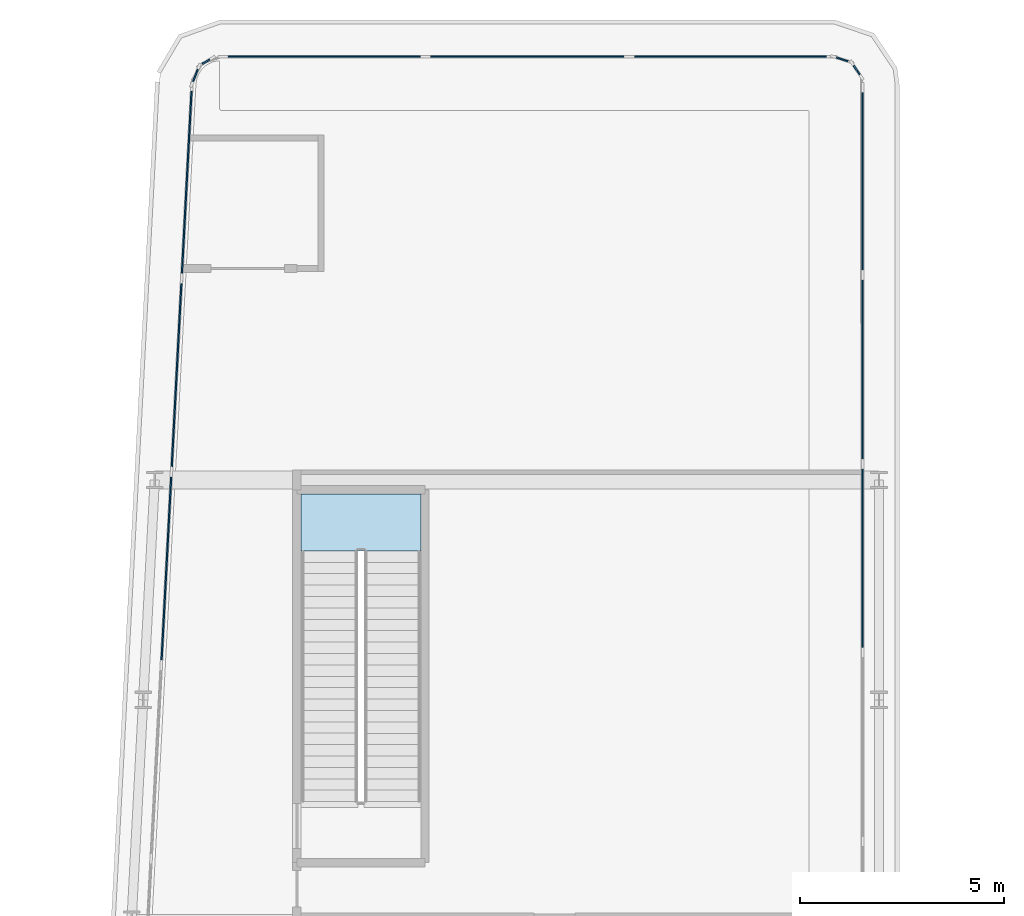
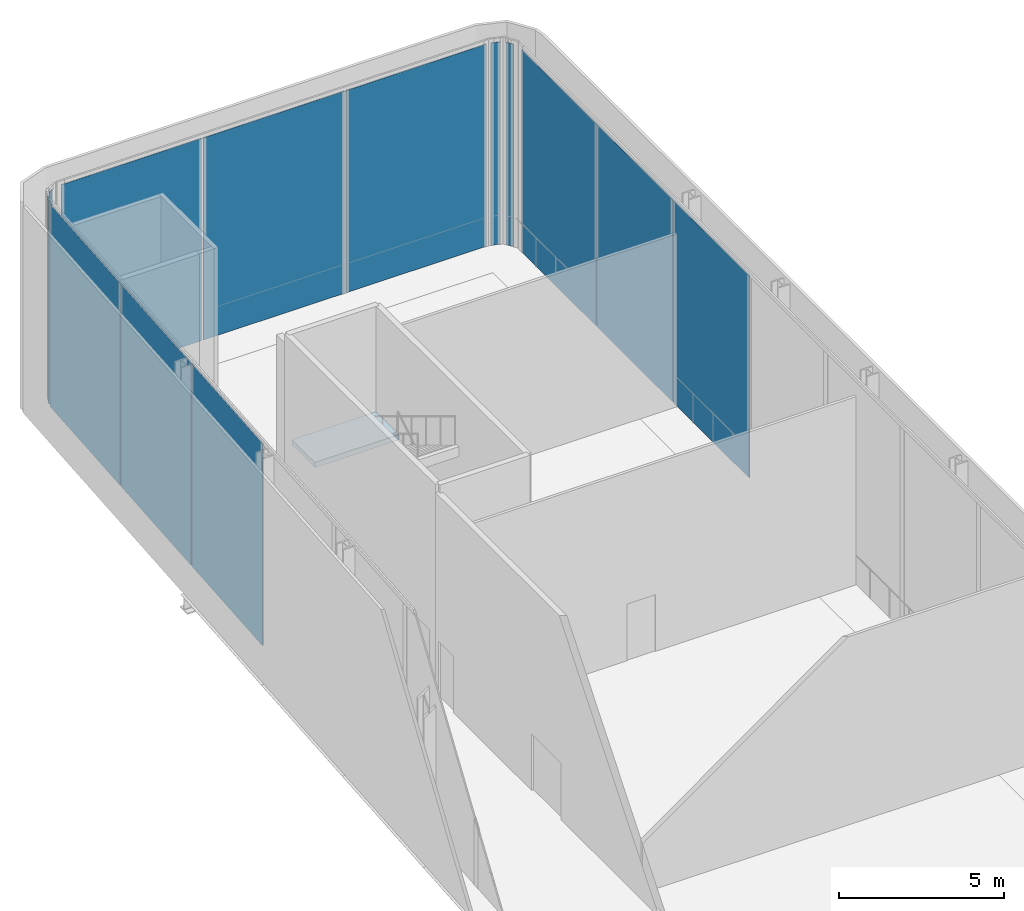
# One storey, part 25 of 37: 13 plates, 1 slab, 8 elements without a shape of their own.
"""IFC4 building model written with IfcOpenShell, lengths in metres."""

from ifc_helpers import new_model, si_unit, direction, frame, origin, origin_2d, place, context, subcontext, project, spatial, polyline, rectangle, outline, extrude, material, layer, layer_set, type_object, element, aggregate, save


model = new_model("IFC4")

# Units and contexts
model_context = context("Model", 3, precision=1e-05, world=origin(), true_north=direction((0.0, 1.0)))
body_context = subcontext(model_context, "Body", "Model", "MODEL_VIEW")
ifc_project = project(units=[si_unit("LENGTHUNIT", "METRE"), si_unit("AREAUNIT", "SQUARE_METRE"), si_unit("VOLUMEUNIT", "CUBIC_METRE"), si_unit("PLANEANGLEUNIT", "RADIAN"), si_unit("MASSUNIT", "GRAM", prefix="KILO")], contexts=[model_context])

# Site, building, storey
site_placement = place(None, origin())
site = spatial("IfcSite", under=ifc_project, at=site_placement, CompositionType="ELEMENT")
building_placement = place(site_placement, origin())
building = spatial("IfcBuilding", under=site, at=building_placement, Name="Kheshtan School and Residences Tower", CompositionType="ELEMENT")
storey_placement = place(building_placement, frame((0.0, 0.0, 144.800048828125)))
storey = spatial("IfcBuildingStorey", under=building, at=storey_placement, Name="L34", CompositionType="ELEMENT", Elevation=144.800048828125)

# Curtain wall, plates
ifc_material_1 = material(Name="Clear low-e glass in thermally broken aluminium frame", Category="aluminium")
ifc_layer_1 = layer(ifc_material_1, 0.25)
ifc_layer_set_1 = layer_set([ifc_layer_1], Name="Curtain wall CW-K")
curtain_wall_type = type_object("IfcCurtainWallType", Name="Curtain wall CW-K", PredefinedType="NOTDEFINED", material=ifc_layer_set_1)
curtain_wall_1_placement = place(storey_placement, origin())
curtain_wall_1 = element("IfcCurtainWall", 1, at=curtain_wall_1_placement, inside=storey, type_object=curtain_wall_type, Name="Curtain wall CWK18", PredefinedType="NOTDEFINED")
ifc_layer_2 = layer(ifc_material_1, 0.0380859375)
ifc_layer_set_2 = layer_set([ifc_layer_2], Name="CW-K glass panel")
plate_type = type_object("IfcPlateType", Name="CW-K glass panel", PredefinedType="CURTAIN_PANEL", material=ifc_layer_set_2)
plate_1_placement = place(storey_placement, frame((30.0966796875, 86.6259765625, 0.0), z_axis=(0.0, 0.0, 1.0), x_axis=(0.05256513568, 0.998617497599, 0.0)))
plate_1 = element("IfcPlate", 2, at=plate_1_placement, type_object=plate_type, Name="CWK18 panel 12.1", PredefinedType="CURTAIN_PANEL", context=body_context, shape_type="SweptSolid", body=[
    extrude(rectangle(XDim=4.69873046875, YDim=0.0380859375, at=origin_2d()), origin(), (0.0, 0.0, 1.0), 7.489990234375),
])
plate_2_placement = place(storey_placement, frame((30.346923828125, 91.3779296875, 0.0), z_axis=(0.0, 0.0, 1.0), x_axis=(0.05256513568, 0.998617497599, 0.0)))
plate_2 = element("IfcPlate", 3, at=plate_2_placement, type_object=plate_type, Name="CWK18 panel 13.1", PredefinedType="CURTAIN_PANEL", context=body_context, shape_type="SweptSolid", body=[
    extrude(rectangle(XDim=4.69873046875, YDim=0.0380859375, at=origin_2d()), origin(), (0.0, 0.0, 1.0), 7.489990234375),
])
plate_3_placement = place(storey_placement, frame((30.59619140625, 96.115234375, 0.0), z_axis=(0.0, 0.0, 1.0), x_axis=(0.05256513568, 0.998617497599, 0.0)))
plate_3 = element("IfcPlate", 4, at=plate_3_placement, type_object=plate_type, Name="CWK18 panel 14.1", PredefinedType="CURTAIN_PANEL", context=body_context, shape_type="SweptSolid", body=[
    extrude(rectangle(XDim=4.668701171875, YDim=0.0380859375, at=origin_2d()), origin(), (0.0, 0.0, 1.0), 7.489990234375),
])
aggregate(curtain_wall_1, [plate_1, plate_2, plate_3])

# Curtain wall, plate
curtain_wall_2_placement = place(storey_placement, origin())
curtain_wall_2 = element("IfcCurtainWall", 5, at=curtain_wall_2_placement, inside=storey, type_object=curtain_wall_type, Name="Curtain wall CWK19", PredefinedType="NOTDEFINED")
plate_4_placement = place(storey_placement, frame((30.8095703125, 98.739501953125, 0.0), z_axis=(0.0, 0.0, 1.0), x_axis=(0.370993348125, 0.928635523576, 0.0)))
plate_4 = element("IfcPlate", 6, at=plate_4_placement, type_object=plate_type, Name="CWK19 panel 1.1", PredefinedType="CURTAIN_PANEL", context=body_context, shape_type="SweptSolid", body=[
    extrude(rectangle(XDim=0.31396484375, YDim=0.0380859375, at=origin_2d()), origin(), (0.0, 0.0, 1.0), 7.489990234375),
])
aggregate(curtain_wall_2, [plate_4])

curtain_wall_3_placement = place(storey_placement, origin())
curtain_wall_3 = element("IfcCurtainWall", 7, at=curtain_wall_3_placement, inside=storey, type_object=curtain_wall_type, Name="Curtain wall CWK20", PredefinedType="NOTDEFINED")
plate_5_placement = place(storey_placement, frame((31.069580078125, 99.07470703125, 0.0), z_axis=(0.0, 0.0, 1.0), x_axis=(0.851763497749, 0.52392646803, 0.0)))
plate_5 = element("IfcPlate", 8, at=plate_5_placement, type_object=plate_type, Name="CWK20 panel 1.1", PredefinedType="CURTAIN_PANEL", context=body_context, shape_type="SweptSolid", body=[
    extrude(rectangle(XDim=0.206298828125, YDim=0.0380859375, at=origin_2d()), origin(), (0.0, 0.0, 1.0), 7.489990234375),
])
aggregate(curtain_wall_3, [plate_5])

# Curtain wall, plates
curtain_wall_4_placement = place(storey_placement, origin())
curtain_wall_4 = element("IfcCurtainWall", 9, at=curtain_wall_4_placement, inside=storey, type_object=curtain_wall_type, Name="Curtain wall CWK21", PredefinedType="NOTDEFINED")
plate_6_placement = place(storey_placement, frame((33.9716796875, 99.199951171875, 0.0), z_axis=(0.0, 0.0, 1.0), x_axis=(1.0, 0.0, 0.0)))
plate_6 = element("IfcPlate", 10, at=plate_6_placement, type_object=plate_type, Name="CWK21 panel 1.1", PredefinedType="CURTAIN_PANEL", context=body_context, shape_type="SweptSolid", body=[
    extrude(rectangle(XDim=4.915283203125, YDim=0.0380859375, at=origin_2d()), origin(), (0.0, 0.0, 1.0), 7.489990234375),
])
plate_7_placement = place(storey_placement, frame((38.9619140625, 99.199951171875, 0.0), z_axis=(0.0, 0.0, 1.0), x_axis=(1.0, 0.0, 0.0)))
plate_7 = element("IfcPlate", 11, at=plate_7_placement, type_object=plate_type, Name="CWK21 panel 2.1", PredefinedType="CURTAIN_PANEL", context=body_context, shape_type="SweptSolid", body=[
    extrude(rectangle(XDim=4.9453125, YDim=0.0380859375, at=origin_2d()), origin(), (0.0, 0.0, 1.0), 7.489990234375),
])
plate_8_placement = place(storey_placement, frame((43.952392578125, 99.199951171875, 0.0), z_axis=(0.0, 0.0, 1.0), x_axis=(1.0, 0.0, 0.0)))
plate_8 = element("IfcPlate", 12, at=plate_8_placement, type_object=plate_type, Name="CWK21 panel 3.1", PredefinedType="CURTAIN_PANEL", context=body_context, shape_type="SweptSolid", body=[
    extrude(rectangle(XDim=4.915283203125, YDim=0.0380859375, at=origin_2d()), origin(), (0.0, 0.0, 1.0), 7.489990234375),
])
aggregate(curtain_wall_4, [plate_6, plate_7, plate_8])

# Curtain wall, plate
curtain_wall_5_placement = place(storey_placement, origin())
curtain_wall_5 = element("IfcCurtainWall", 13, at=curtain_wall_5_placement, inside=storey, type_object=curtain_wall_type, Name="Curtain wall CWK22", PredefinedType="NOTDEFINED")
plate_9_placement = place(storey_placement, frame((46.697998046875, 99.13232421875, 0.0), z_axis=(0.0, 0.0, 1.0), x_axis=(0.952703792543, -0.303900450271, 0.0)))
plate_9 = element("IfcPlate", 14, at=plate_9_placement, type_object=plate_type, Name="CWK22 panel 1.1", PredefinedType="CURTAIN_PANEL", context=body_context, shape_type="SweptSolid", body=[
    extrude(rectangle(XDim=0.294677734375, YDim=0.0380859375, at=origin_2d()), origin(), (0.0, 0.0, 1.0), 7.489990234375),
])
aggregate(curtain_wall_5, [plate_9])

curtain_wall_6_placement = place(storey_placement, origin())
curtain_wall_6 = element("IfcCurtainWall", 15, at=curtain_wall_6_placement, inside=storey, type_object=curtain_wall_type, Name="Curtain wall CWK23", PredefinedType="NOTDEFINED")
plate_10_placement = place(storey_placement, frame((47.0546875, 98.8701171875, 0.0), z_axis=(0.0, 0.0, 1.0), x_axis=(0.555301678168, -0.831648992198, 0.0)))
plate_10 = element("IfcPlate", 16, at=plate_10_placement, type_object=plate_type, Name="CWK23 panel 1.1", PredefinedType="CURTAIN_PANEL", context=body_context, shape_type="SweptSolid", body=[
    extrude(rectangle(XDim=0.263671875, YDim=0.0380859375, at=origin_2d()), origin(), (0.0, 0.0, 1.0), 7.489990234375),
])
aggregate(curtain_wall_6, [plate_10])

# Curtain wall, plates
curtain_wall_7_placement = place(storey_placement, origin())
curtain_wall_7 = element("IfcCurtainWall", 17, at=curtain_wall_7_placement, inside=storey, type_object=curtain_wall_type, Name="Curtain wall CWK24", PredefinedType="NOTDEFINED")
plate_11_placement = place(storey_placement, frame((47.199951171875, 96.13671875, 0.0), z_axis=(0.0, 0.0, 1.0), x_axis=(0.0, -1.0, 0.0)))
plate_11 = element("IfcPlate", 18, at=plate_11_placement, type_object=plate_type, Name="CWK24 panel 1.1", PredefinedType="CURTAIN_PANEL", context=body_context, shape_type="SweptSolid", body=[
    extrude(rectangle(XDim=4.54638671875, YDim=0.0380859375, at=origin_2d()), origin(), (0.0, 0.0, 1.0), 7.489990234375),
])
plate_12_placement = place(storey_placement, frame((47.199951171875, 91.515380859375, 0.0), z_axis=(0.0, 0.0, 1.0), x_axis=(0.0, -1.0, 0.0)))
plate_12 = element("IfcPlate", 19, at=plate_12_placement, type_object=plate_type, Name="CWK24 panel 2.1", PredefinedType="CURTAIN_PANEL", context=body_context, shape_type="SweptSolid", body=[
    extrude(rectangle(XDim=4.576416015625, YDim=0.0380859375, at=origin_2d()), origin(), (0.0, 0.0, 1.0), 7.489990234375),
])
plate_13_placement = place(storey_placement, frame((47.199951171875, 86.87890625, 0.0), z_axis=(0.0, 0.0, 1.0), x_axis=(0.0, -1.0, 0.0)))
plate_13 = element("IfcPlate", 20, at=plate_13_placement, type_object=plate_type, Name="CWK24 panel 3.1", PredefinedType="CURTAIN_PANEL", context=body_context, shape_type="SweptSolid", body=[
    extrude(rectangle(XDim=4.576416015625, YDim=0.0380859375, at=origin_2d()), origin(), (0.0, 0.0, 1.0), 7.489990234375),
])
aggregate(curtain_wall_7, [plate_11, plate_12, plate_13])

# Stair, slab
ifc_material_2 = material(Name="Concrete C40/50", Category="concrete")
stair_type = type_object("IfcStairType", Name="Exit stair, half-turn", PredefinedType="HALF_TURN_STAIR", material=ifc_material_2)
stair_placement = place(storey_placement, origin())
stair = element("IfcStair", 21, at=stair_placement, inside=storey, type_object=stair_type, Name="L34 Protected Exit Stair ST3", PredefinedType="HALF_TURN_STAIR")
ifc_layer_3 = layer(ifc_material_2, 0.199951171875)
ifc_layer_set_3 = layer_set([ifc_layer_3], Name="Stair landing 200 Concrete C40/50")
slab_type = type_object("IfcSlabType", Name="Stair landing 200 Concrete C40/50", PredefinedType="LANDING", material=ifc_layer_set_3)
slab_placement = place(storey_placement, frame((0.0, 0.0, 3.699951171875)))
slab = element("IfcSlab", 22, at=slab_placement, type_object=slab_type, Name="ST3 landing 1", PredefinedType="LANDING", context=body_context, shape_type="SweptSolid", body=[
    extrude(outline(polyline([(36.35009765625, 87.06005859375), (36.35009765625, 88.4599609375), (33.39990234375, 88.4599609375), (33.39990234375, 87.06005859375), (36.35009765625, 87.06005859375)])), origin(), (0.0, 0.0, 1.0), 0.199951171875),
])
aggregate(stair, [slab])

save(model, "model.ifc")
